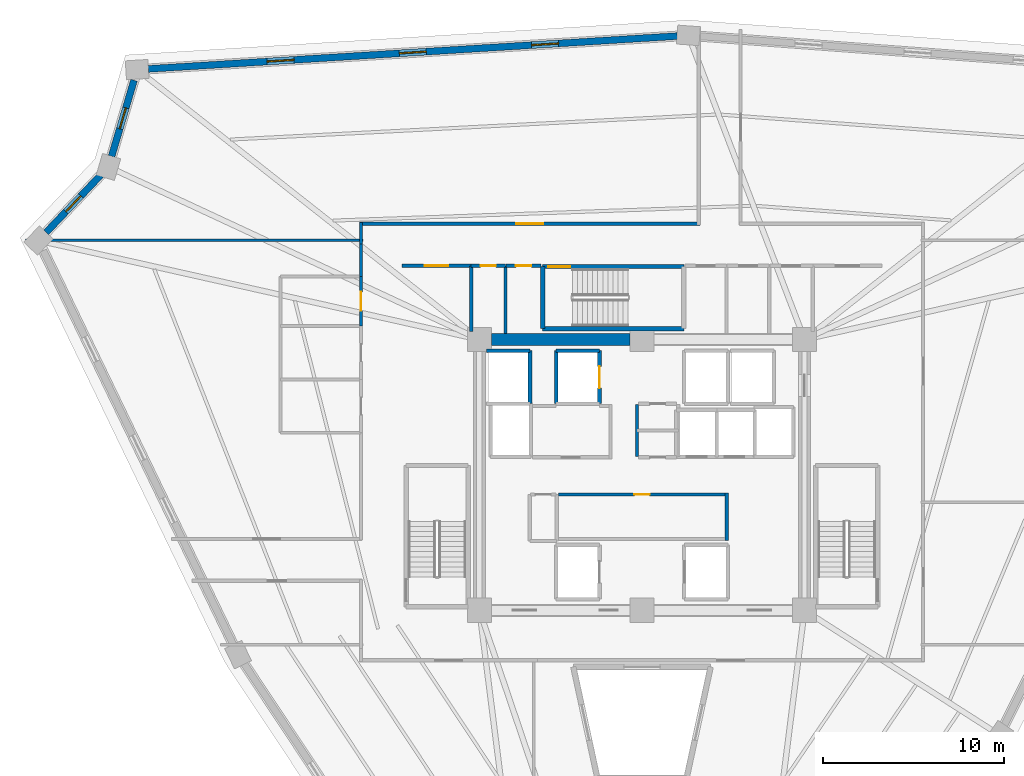
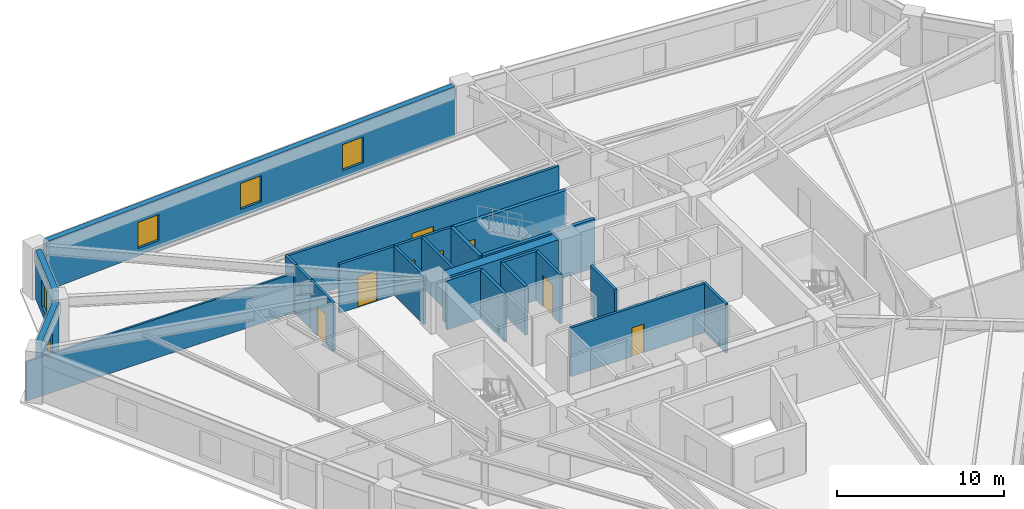
# One storey, part 5 of 8: 25 walls, 8 doors, 5 windows, 13 openings.
"""IFC4 building model written with IfcOpenShell, lengths in metres."""

from ifc_helpers import new_model, si_unit, direction, frame, frame_2d, origin, place, context, subcontext, project, spatial, rectangle, extrude, source, transform, mapped, material, layer, layer_set, type_object, element, fill, save


model = new_model("IFC4")

# Units and contexts
model_context = context("Model", 3, precision=1e-05, world=origin(), true_north=direction((0.0, 1.0)))
body_context = subcontext(model_context, "Body", "Model", "MODEL_VIEW")
ifc_project = project(units=[si_unit("LENGTHUNIT", "METRE"), si_unit("AREAUNIT", "SQUARE_METRE"), si_unit("VOLUMEUNIT", "CUBIC_METRE"), si_unit("PLANEANGLEUNIT", "RADIAN"), si_unit("MASSUNIT", "GRAM", prefix="KILO")], contexts=[model_context])

# Site, building, storey
site_placement = place(None, origin())
site = spatial("IfcSite", under=ifc_project, at=site_placement, CompositionType="ELEMENT")
building_placement = place(site_placement, origin())
building = spatial("IfcBuilding", under=site, at=building_placement, Name="Liaohun Quay Tower", CompositionType="ELEMENT")
storey_placement = place(building_placement, frame((0.0, 0.0, 213.0)))
storey = spatial("IfcBuildingStorey", under=building, at=storey_placement, Name="L55", CompositionType="ELEMENT", Elevation=213.0)

# Wall
ifc_material_1 = material(Name="Concrete C55", Category="concrete")
ifc_layer_1 = layer(ifc_material_1, 0.64990234375, Name="Concrete C55", Category="concrete")
ifc_layer_set_1 = layer_set([ifc_layer_1], Name="Concrete C55")
wall_type_1 = type_object("IfcWallType", Name="WAL-COR-Z3", PredefinedType="SHEAR", material=ifc_layer_set_1)
wall_1_placement = place(storey_placement, frame((51.675048828125, 61.5, 0.0), z_axis=(0.0, 0.0, 1.0), x_axis=(1.0, 0.0, 0.0)))
element("IfcWall", 1, at=wall_1_placement, inside=storey, type_object=wall_type_1, Name="L55 Central Core Shear Wall N-W", PredefinedType="SHEAR", context=body_context, shape_type="SweptSolid", body=[
    extrude(rectangle(XDim=7.64990234375, YDim=0.64990234375, at=frame_2d((3.824951171875, 0.0))), origin(), (0.0, 0.0, 1.0), 3.570068359375),
])

# Wall, openings, windows
ifc_material_2 = material(Name="Precast concrete C50 insulated sandwich", Category="concrete")
ifc_layer_2 = layer(ifc_material_2, 0.3798828125, Name="Precast concrete C50 insulated sandwich", Category="concrete")
ifc_layer_set_2 = layer_set([ifc_layer_2], Name="Precast concrete C50 insulated sandwich")
wall_type_2 = type_object("IfcWallType", Name="WAL-EXT-Z34", PredefinedType="SOLIDWALL", material=ifc_layer_set_2)
wall_2_placement = place(storey_placement, frame((61.955078125, 78.302001953125, 0.0), z_axis=(0.0, 0.0, 1.0), x_axis=(-0.998077357393, -0.061980550656, 0.0)))
wall_2 = element("IfcWall", 2, at=wall_2_placement, inside=storey, type_object=wall_type_2, Name="L55 Brutalist Precast Pier Wall 07", PredefinedType="SOLIDWALL", context=body_context, shape_type="SweptSolid", body=[
    extrude(rectangle(XDim=29.349365234375, YDim=0.3798828125, at=frame_2d((14.6748046875, 0.0))), origin(), (0.0, 0.0, 1.0), 3.570068359375),
])
shared_shape_1 = source(origin(), body_context, "Body", "SweptSolid", [
    extrude(rectangle(XDim=1.5, YDim=1.89990234375, at=frame_2d((0.75, 0.949951171875))), frame((0.0, 0.199951171875, 0.0), z_axis=(0.0, -1.0, 0.0), x_axis=(1.0, 0.0, 0.0)), (0.0, 0.0, 1.0), 0.39990234375),
])
opening_1_placement = place(wall_2_placement, frame((6.5869140625, 0.0, 0.550048828125)))
opening_1 = element("IfcOpeningElement", 3, at=opening_1_placement, cuts=wall_2, Name="Opening W03", PredefinedType="OPENING", context=body_context, shape_type="MappedRepresentation", body=[
    mapped(shared_shape_1, transform((0.0, 0.0, 0.0), x_axis=(1.0, 0.0, 0.0), y_axis=(0.0, 1.0, 0.0), z_axis=(0.0, 0.0, 1.0), scale=1.0)),
])
opening_2_placement = place(wall_2_placement, frame((13.925048828125, 0.0, 0.550048828125)))
opening_2 = element("IfcOpeningElement", 4, at=opening_2_placement, cuts=wall_2, Name="Opening W03", PredefinedType="OPENING", context=body_context, shape_type="MappedRepresentation", body=[
    mapped(shared_shape_1, transform((0.0, 0.0, 0.0), x_axis=(1.0, 0.0, 0.0), y_axis=(0.0, 1.0, 0.0), z_axis=(0.0, 0.0, 1.0), scale=1.0)),
])
opening_3_placement = place(wall_2_placement, frame((21.261962890625, 0.0, 0.550048828125)))
opening_3 = element("IfcOpeningElement", 5, at=opening_3_placement, cuts=wall_2, Name="Opening W03", PredefinedType="OPENING", context=body_context, shape_type="MappedRepresentation", body=[
    mapped(shared_shape_1, transform((0.0, 0.0, 0.0), x_axis=(1.0, 0.0, 0.0), y_axis=(0.0, 1.0, 0.0), z_axis=(0.0, 0.0, 1.0), scale=1.0)),
])
ifc_material_3 = material(Name="Triple Low-E argon glazing in thermally broken aluminium", Category="aluminium")
window_type_1 = type_object("IfcWindowType", Name="WIN-PUN-Z3", PartitioningType="DOUBLE_PANEL_VERTICAL", PredefinedType="WINDOW", material=ifc_material_3)
shared_shape_2 = source(origin(), body_context, "Body", "SweptSolid", [
    extrude(rectangle(XDim=1.5, YDim=1.89990234375, at=frame_2d((0.75, 0.949951171875))), frame((0.0, 0.030029296875, 0.0), z_axis=(0.0, -1.0, 0.0), x_axis=(1.0, 0.0, 0.0)), (0.0, 0.0, 1.0), 0.06005859375),
])
window_1_placement = place(opening_1_placement, origin())
window_1 = element("IfcWindow", 6, at=window_1_placement, inside=storey, type_object=window_type_1, Name="L55 Recessed Cold-Climate Punched Window 07-1", OverallHeight=1.89990234375, OverallWidth=1.5, PartitioningType="DOUBLE_PANEL_VERTICAL", PredefinedType="WINDOW", context=body_context, shape_type="MappedRepresentation", body=[
    mapped(shared_shape_2, transform((0.0, 0.0, 0.0), x_axis=(1.0, 0.0, 0.0), y_axis=(0.0, 1.0, 0.0), z_axis=(0.0, 0.0, 1.0), scale=1.0)),
])
fill(opening_1, window_1)
window_2_placement = place(opening_2_placement, origin())
window_2 = element("IfcWindow", 7, at=window_2_placement, inside=storey, type_object=window_type_1, Name="L55 Recessed Cold-Climate Punched Window 07-2", OverallHeight=1.89990234375, OverallWidth=1.5, PartitioningType="DOUBLE_PANEL_VERTICAL", PredefinedType="WINDOW", context=body_context, shape_type="MappedRepresentation", body=[
    mapped(shared_shape_2, transform((0.0, 0.0, 0.0), x_axis=(1.0, 0.0, 0.0), y_axis=(0.0, 1.0, 0.0), z_axis=(0.0, 0.0, 1.0), scale=1.0)),
])
fill(opening_2, window_2)
window_3_placement = place(opening_3_placement, origin())
window_3 = element("IfcWindow", 8, at=window_3_placement, inside=storey, type_object=window_type_1, Name="L55 Recessed Cold-Climate Punched Window 07-3", OverallHeight=1.89990234375, OverallWidth=1.5, PartitioningType="DOUBLE_PANEL_VERTICAL", PredefinedType="WINDOW", context=body_context, shape_type="MappedRepresentation", body=[
    mapped(shared_shape_2, transform((0.0, 0.0, 0.0), x_axis=(1.0, 0.0, 0.0), y_axis=(0.0, 1.0, 0.0), z_axis=(0.0, 0.0, 1.0), scale=1.0)),
])
fill(opening_3, window_3)

# Wall, opening, window
wall_3_placement = place(storey_placement, frame((31.8740234375, 75.85498046875, 0.0), z_axis=(0.0, 0.0, 1.0), x_axis=(-0.282741477482, -0.959196151426, 0.0)))
wall_3 = element("IfcWall", 9, at=wall_3_placement, inside=storey, type_object=wall_type_2, Name="L55 Brutalist Precast Pier Wall 08", PredefinedType="SOLIDWALL", context=body_context, shape_type="SweptSolid", body=[
    extrude(rectangle(XDim=4.38916015625, YDim=0.3798828125, at=frame_2d((2.194580078125, 0.0))), origin(), (0.0, 0.0, 1.0), 3.570068359375),
])
shared_shape_3 = source(origin(), body_context, "Body", "SweptSolid", [
    extrude(rectangle(XDim=1.199951171875, YDim=1.89990234375, at=frame_2d((0.60009765625, 0.949951171875))), frame((0.0, 0.199951171875, 0.0), z_axis=(0.0, -1.0, 0.0), x_axis=(1.0, 0.0, 0.0)), (0.0, 0.0, 1.0), 0.39990234375),
])
opening_4_placement = place(wall_3_placement, frame((1.594970703125, 0.0, 0.550048828125)))
opening_4 = element("IfcOpeningElement", 10, at=opening_4_placement, cuts=wall_3, Name="Opening W05", PredefinedType="OPENING", context=body_context, shape_type="MappedRepresentation", body=[
    mapped(shared_shape_3, transform((0.0, 0.0, 0.0), x_axis=(1.0, 0.0, 0.0), y_axis=(0.0, 1.0, 0.0), z_axis=(0.0, 0.0, 1.0), scale=1.0)),
])
ifc_material_4 = material(Name="Triple Low-E corner notch glazing", Category="glass")
window_type_2 = type_object("IfcWindowType", Name="WIN-NOTCH", PartitioningType="SINGLE_PANEL", PredefinedType="WINDOW", material=ifc_material_4)
shared_shape_4 = source(origin(), body_context, "Body", "SweptSolid", [
    extrude(rectangle(XDim=1.199951171875, YDim=1.89990234375, at=frame_2d((0.60009765625, 0.949951171875))), frame((0.0, 0.030029296875, 0.0), z_axis=(0.0, -1.0, 0.0), x_axis=(1.0, 0.0, 0.0)), (0.0, 0.0, 1.0), 0.06005859375),
])
window_4_placement = place(opening_4_placement, origin())
window_4 = element("IfcWindow", 11, at=window_4_placement, inside=storey, type_object=window_type_2, Name="L55 Corner Notch Window W05-08", OverallHeight=1.89990234375, OverallWidth=1.199951171875, PartitioningType="SINGLE_PANEL", PredefinedType="WINDOW", context=body_context, shape_type="MappedRepresentation", body=[
    mapped(shared_shape_4, transform((0.0, 0.0, 0.0), x_axis=(1.0, 0.0, 0.0), y_axis=(0.0, 1.0, 0.0), z_axis=(0.0, 0.0, 1.0), scale=1.0)),
])
fill(opening_4, window_4)

wall_4_placement = place(storey_placement, frame((30.034912109375, 70.60888671875, 0.0), z_axis=(0.0, 0.0, 1.0), x_axis=(-0.689503947634, -0.724281924527, 0.0)))
wall_4 = element("IfcWall", 12, at=wall_4_placement, inside=storey, type_object=wall_type_2, Name="L55 Brutalist Precast Pier Wall 09", PredefinedType="SOLIDWALL", context=body_context, shape_type="SweptSolid", body=[
    extrude(rectangle(XDim=4.39453125, YDim=0.3798828125, at=frame_2d((2.197265625, 0.0))), origin(), (0.0, 0.0, 1.0), 3.570068359375),
])
opening_5_placement = place(wall_4_placement, frame((1.596923828125, 0.0, 0.550048828125)))
opening_5 = element("IfcOpeningElement", 13, at=opening_5_placement, cuts=wall_4, Name="Opening W05", PredefinedType="OPENING", context=body_context, shape_type="MappedRepresentation", body=[
    mapped(shared_shape_3, transform((0.0, 0.0, 0.0), x_axis=(1.0, 0.0, 0.0), y_axis=(0.0, 1.0, 0.0), z_axis=(0.0, 0.0, 1.0), scale=1.0)),
])
window_5_placement = place(opening_5_placement, origin())
window_5 = element("IfcWindow", 14, at=window_5_placement, inside=storey, type_object=window_type_2, Name="L55 Corner Notch Window W05-09", OverallHeight=1.89990234375, OverallWidth=1.199951171875, PartitioningType="SINGLE_PANEL", PredefinedType="WINDOW", context=body_context, shape_type="MappedRepresentation", body=[
    mapped(shared_shape_4, transform((0.0, 0.0, 0.0), x_axis=(1.0, 0.0, 0.0), y_axis=(0.0, 1.0, 0.0), z_axis=(0.0, 0.0, 1.0), scale=1.0)),
])
fill(opening_5, window_5)

# Wall, opening, door
ifc_material_5 = material(Name="Autoclaved aerated concrete blockwork", Category="masonry")
ifc_layer_3 = layer(ifc_material_5, 0.179931640625, Name="Autoclaved aerated concrete blockwork", Category="masonry")
ifc_layer_set_3 = layer_set([ifc_layer_3], Name="Autoclaved aerated concrete blockwork")
wall_type_3 = type_object("IfcWallType", Name="WAL-PRT-COR", PredefinedType="PARTITIONING", material=ifc_layer_set_3)
wall_5_placement = place(storey_placement, frame((55.3701171875, 52.919921875, 0.0), z_axis=(0.0, 0.0, 1.0), x_axis=(1.0, 0.0, 0.0)))
wall_5 = element("IfcWall", 15, at=wall_5_placement, inside=storey, type_object=wall_type_3, Name="L55 Interior Partition Wall 001", PredefinedType="PARTITIONING", context=body_context, shape_type="SweptSolid", body=[
    extrude(rectangle(XDim=9.239990234375, YDim=0.179931640625, at=frame_2d((4.6201171875, 0.0))), origin(), (0.0, 0.0, 1.0), 3.570068359375),
])
shared_shape_5 = source(origin(), body_context, "Body", "SweptSolid", [
    extrude(rectangle(XDim=0.85009765625, YDim=2.10009765625, at=frame_2d((0.425048828125, 1.050048828125))), frame((0.0, 0.099853515625, 0.0), z_axis=(0.0, -1.0, 0.0), x_axis=(1.0, 0.0, 0.0)), (0.0, 0.0, 1.0), 0.199951171875),
])
opening_6_placement = place(wall_5_placement, frame((4.205078125, 0.0, 0.0)))
opening_6 = element("IfcOpeningElement", 16, at=opening_6_placement, cuts=wall_5, Name="Opening AD1", PredefinedType="OPENING", context=body_context, shape_type="MappedRepresentation", body=[
    mapped(shared_shape_5, transform((0.0, 0.0, 0.0), x_axis=(1.0, 0.0, 0.0), y_axis=(0.0, 1.0, 0.0), z_axis=(0.0, 0.0, 1.0), scale=1.0)),
])
ifc_material_6 = material(Name="Steel riser inspection fire door", Category="steel")
door_type_1 = type_object("IfcDoorType", Name="DOR-SHF-850", OperationType="NOTDEFINED", PredefinedType="DOOR", material=ifc_material_6)
shared_shape_6 = source(origin(), body_context, "Body", "SweptSolid", [
    extrude(rectangle(XDim=0.85009765625, YDim=2.10009765625, at=frame_2d((0.425048828125, 1.050048828125))), frame((0.0, 0.02490234375, 0.0), z_axis=(0.0, -1.0, 0.0), x_axis=(1.0, 0.0, 0.0)), (0.0, 0.0, 1.0), 0.050048828125),
])
door_1_placement = place(opening_6_placement, origin())
door_1 = element("IfcDoor", 17, at=door_1_placement, inside=storey, type_object=door_type_1, Name="L55 Core Tenant Storage and Archive Room Door", OperationType="SINGLE_SWING_RIGHT", OverallHeight=2.10009765625, OverallWidth=0.85009765625, PredefinedType="DOOR", context=body_context, shape_type="MappedRepresentation", body=[
    mapped(shared_shape_6, transform((0.0, 0.0, 0.0), x_axis=(1.0, 0.0, 0.0), y_axis=(0.0, 1.0, 0.0), z_axis=(0.0, 0.0, 1.0), scale=1.0)),
])
fill(opening_6, door_1)

wall_6_placement = place(storey_placement, frame((50.5400390625, 65.580078125, 0.0), z_axis=(0.0, 0.0, 1.0), x_axis=(1.0, 0.0, 0.0)))
wall_6 = element("IfcWall", 18, at=wall_6_placement, inside=storey, type_object=wall_type_3, Name="L55 Interior Partition Wall 009", PredefinedType="PARTITIONING", context=body_context, shape_type="SweptSolid", body=[
    extrude(rectangle(XDim=1.89990234375, YDim=0.179931640625, at=frame_2d((0.949951171875, 0.0))), origin(), (0.0, 0.0, 1.0), 3.570068359375),
])
opening_7_placement = place(wall_6_placement, frame((0.52490234375, 0.0, 0.0)))
opening_7 = element("IfcOpeningElement", 19, at=opening_7_placement, cuts=wall_6, Name="Opening AD1", PredefinedType="OPENING", context=body_context, shape_type="MappedRepresentation", body=[
    mapped(shared_shape_5, transform((0.0, 0.0, 0.0), x_axis=(1.0, 0.0, 0.0), y_axis=(0.0, 1.0, 0.0), z_axis=(0.0, 0.0, 1.0), scale=1.0)),
])
door_2_placement = place(opening_7_placement, origin())
door_2 = element("IfcDoor", 20, at=door_2_placement, inside=storey, type_object=door_type_1, Name="L55 North-West Riser Closet Door", OperationType="SINGLE_SWING_RIGHT", OverallHeight=2.10009765625, OverallWidth=0.85009765625, PredefinedType="DOOR", context=body_context, shape_type="MappedRepresentation", body=[
    mapped(shared_shape_6, transform((0.0, 0.0, 0.0), x_axis=(1.0, 0.0, 0.0), y_axis=(0.0, 1.0, 0.0), z_axis=(0.0, 0.0, 1.0), scale=1.0)),
])
fill(opening_7, door_2)

wall_7_placement = place(storey_placement, frame((52.47998046875, 65.580078125, 0.0), z_axis=(0.0, 0.0, 1.0), x_axis=(1.0, 0.0, 0.0)))
wall_7 = element("IfcWall", 21, at=wall_7_placement, inside=storey, type_object=wall_type_3, Name="L55 Interior Partition Wall 010", PredefinedType="PARTITIONING", context=body_context, shape_type="SweptSolid", body=[
    extrude(rectangle(XDim=1.929931640625, YDim=0.179931640625, at=frame_2d((0.96484375, 0.0))), origin(), (0.0, 0.0, 1.0), 3.570068359375),
])
opening_8_placement = place(wall_7_placement, frame((0.5400390625, 0.0, 0.0)))
opening_8 = element("IfcOpeningElement", 22, at=opening_8_placement, cuts=wall_7, Name="Opening AD1", PredefinedType="OPENING", context=body_context, shape_type="MappedRepresentation", body=[
    mapped(shared_shape_5, transform((0.0, 0.0, 0.0), x_axis=(1.0, 0.0, 0.0), y_axis=(0.0, 1.0, 0.0), z_axis=(0.0, 0.0, 1.0), scale=1.0)),
])
door_3_placement = place(opening_8_placement, origin())
door_3 = element("IfcDoor", 23, at=door_3_placement, inside=storey, type_object=door_type_1, Name="L55 North-West Print Closet Door", OperationType="SINGLE_SWING_LEFT", OverallHeight=2.10009765625, OverallWidth=0.85009765625, PredefinedType="DOOR", context=body_context, shape_type="MappedRepresentation", body=[
    mapped(shared_shape_6, transform((0.0, 0.0, 0.0), x_axis=(1.0, 0.0, 0.0), y_axis=(0.0, 1.0, 0.0), z_axis=(0.0, 0.0, 1.0), scale=1.0)),
])
fill(opening_8, door_3)

wall_8_placement = place(storey_placement, frame((46.699951171875, 65.580078125, 0.0), z_axis=(0.0, 0.0, 1.0), x_axis=(1.0, 0.0, 0.0)))
wall_8 = element("IfcWall", 24, at=wall_8_placement, inside=storey, type_object=wall_type_3, Name="L55 Interior Partition Wall 014", PredefinedType="PARTITIONING", context=body_context, shape_type="SweptSolid", body=[
    extrude(rectangle(XDim=3.840087890625, YDim=0.179931640625, at=frame_2d((1.919921875, 0.0))), origin(), (0.0, 0.0, 1.0), 3.570068359375),
])
shared_shape_7 = source(origin(), body_context, "Body", "SweptSolid", [
    extrude(rectangle(XDim=1.300048828125, YDim=2.199951171875, at=frame_2d((0.64990234375, 1.10009765625))), frame((0.0, 0.099853515625, 0.0), z_axis=(0.0, -1.0, 0.0), x_axis=(1.0, 0.0, 0.0)), (0.0, 0.0, 1.0), 0.199951171875),
])
opening_9_placement = place(wall_8_placement, frame((1.27001953125, 0.0, 0.0)))
opening_9 = element("IfcOpeningElement", 25, at=opening_9_placement, cuts=wall_8, Name="Opening FD1", PredefinedType="OPENING", context=body_context, shape_type="MappedRepresentation", body=[
    mapped(shared_shape_7, transform((0.0, 0.0, 0.0), x_axis=(1.0, 0.0, 0.0), y_axis=(0.0, 1.0, 0.0), z_axis=(0.0, 0.0, 1.0), scale=1.0)),
])
ifc_material_7 = material(Name="Galvanised steel smokeproof fire door", Category="steel")
door_type_2 = type_object("IfcDoorType", Name="DOR-FFL-1300", OperationType="NOTDEFINED", PredefinedType="DOOR", material=ifc_material_7)
shared_shape_8 = source(origin(), body_context, "Body", "SweptSolid", [
    extrude(rectangle(XDim=1.300048828125, YDim=2.199951171875, at=frame_2d((0.64990234375, 1.10009765625))), frame((0.0, 0.02490234375, 0.0), z_axis=(0.0, -1.0, 0.0), x_axis=(1.0, 0.0, 0.0)), (0.0, 0.0, 1.0), 0.050048828125),
])
door_4_placement = place(opening_9_placement, origin())
door_4 = element("IfcDoor", 26, at=door_4_placement, inside=storey, type_object=door_type_2, Name="L55 West Core Vestibule Door", OperationType="SINGLE_SWING_LEFT", OverallHeight=2.199951171875, OverallWidth=1.300048828125, PredefinedType="DOOR", context=body_context, shape_type="MappedRepresentation", body=[
    mapped(shared_shape_8, transform((0.0, 0.0, 0.0), x_axis=(1.0, 0.0, 0.0), y_axis=(0.0, 1.0, 0.0), z_axis=(0.0, 0.0, 1.0), scale=1.0)),
])
fill(opening_9, door_4)

wall_9_placement = place(storey_placement, frame((44.3701171875, 67.909912109375, 0.0), z_axis=(0.0, 0.0, 1.0), x_axis=(1.0, 0.0, 0.0)))
wall_9 = element("IfcWall", 27, at=wall_9_placement, inside=storey, type_object=wall_type_3, Name="L55 Interior Partition Wall 018", PredefinedType="PARTITIONING", context=body_context, shape_type="SweptSolid", body=[
    extrude(rectangle(XDim=18.83984375, YDim=0.179931640625, at=frame_2d((9.419921875, 0.0))), origin(), (0.0, 0.0, 1.0), 3.570068359375),
])
shared_shape_9 = source(origin(), body_context, "Body", "SweptSolid", [
    extrude(rectangle(XDim=1.5, YDim=2.199951171875, at=frame_2d((0.75, 1.10009765625))), frame((0.0, 0.099853515625, 0.0), z_axis=(0.0, -1.0, 0.0), x_axis=(1.0, 0.0, 0.0)), (0.0, 0.0, 1.0), 0.199951171875),
])
opening_10_placement = place(wall_9_placement, frame((8.669921875, 0.0, 0.0)))
opening_10 = element("IfcOpeningElement", 28, at=opening_10_placement, cuts=wall_9, Name="Opening OD2", PredefinedType="OPENING", context=body_context, shape_type="MappedRepresentation", body=[
    mapped(shared_shape_9, transform((0.0, 0.0, 0.0), x_axis=(1.0, 0.0, 0.0), y_axis=(0.0, 1.0, 0.0), z_axis=(0.0, 0.0, 1.0), scale=1.0)),
])
ifc_material_8 = material(Name="Acoustic oak veneer double door")
door_type_3 = type_object("IfcDoorType", Name="DOR-OFF-1500", OperationType="DOUBLE_DOOR_SINGLE_SWING", PredefinedType="DOOR", material=ifc_material_8)
shared_shape_10 = source(origin(), body_context, "Body", "SweptSolid", [
    extrude(rectangle(XDim=1.5, YDim=2.199951171875, at=frame_2d((0.75, 1.10009765625))), frame((0.0, 0.02490234375, 0.0), z_axis=(0.0, -1.0, 0.0), x_axis=(1.0, 0.0, 0.0)), (0.0, 0.0, 1.0), 0.050048828125),
])
door_5_placement = place(opening_10_placement, origin())
door_5 = element("IfcDoor", 29, at=door_5_placement, inside=storey, type_object=door_type_3, Name="L55 Staff Daycare Nursery 03 Door", OperationType="DOUBLE_DOOR_SINGLE_SWING", OverallHeight=2.199951171875, OverallWidth=1.5, PredefinedType="DOOR", context=body_context, shape_type="MappedRepresentation", body=[
    mapped(shared_shape_10, transform((0.0, 0.0, 0.0), x_axis=(1.0, 0.0, 0.0), y_axis=(0.0, 1.0, 0.0), z_axis=(0.0, 0.0, 1.0), scale=1.0)),
])
fill(opening_10, door_5)

# Walls
wall_10_placement = place(storey_placement, frame((59.719970703125, 55.02001953125, 0.0), z_axis=(0.0, 0.0, 1.0), x_axis=(0.0, 1.0, 0.0)))
element("IfcWall", 30, at=wall_10_placement, inside=storey, type_object=wall_type_3, Name="L55 Interior Partition Wall 024", PredefinedType="PARTITIONING", context=body_context, shape_type="SweptSolid", body=[
    extrude(rectangle(XDim=2.8798828125, YDim=0.179931640625, at=frame_2d((1.43994140625, 0.0))), origin(), (0.0, 0.0, 1.0), 3.570068359375),
])
wall_11_placement = place(storey_placement, frame((50.5400390625, 61.949951171875, 0.0), z_axis=(0.0, 0.0, 1.0), x_axis=(0.0, 1.0, 0.0)))
element("IfcWall", 31, at=wall_11_placement, inside=storey, type_object=wall_type_3, Name="L55 Interior Partition Wall 035", PredefinedType="PARTITIONING", context=body_context, shape_type="SweptSolid", body=[
    extrude(rectangle(XDim=3.630126953125, YDim=0.179931640625, at=frame_2d((1.81494140625, 0.0))), origin(), (0.0, 0.0, 1.0), 3.570068359375),
])
wall_12_placement = place(storey_placement, frame((52.43994140625, 61.824951171875, 0.0), z_axis=(0.0, 0.0, 1.0), x_axis=(0.0, 1.0, 0.0)))
element("IfcWall", 32, at=wall_12_placement, inside=storey, type_object=wall_type_3, Name="L55 Interior Partition Wall 036", PredefinedType="PARTITIONING", context=body_context, shape_type="SweptSolid", body=[
    extrude(rectangle(XDim=3.755126953125, YDim=0.179931640625, at=frame_2d((1.87744140625, 0.0))), origin(), (0.0, 0.0, 1.0), 3.570068359375),
])
wall_13_placement = place(storey_placement, frame((44.43994140625, 66.784912109375, 0.0), z_axis=(0.0, 0.0, 1.0), x_axis=(0.0, 1.0, 0.0)))
element("IfcWall", 33, at=wall_13_placement, inside=storey, type_object=wall_type_3, Name="L55 Interior Partition Wall 043", PredefinedType="PARTITIONING", context=body_context, shape_type="SweptSolid", body=[
    extrude(rectangle(XDim=1.195068359375, YDim=0.179931640625, at=frame_2d((0.59765625, 0.0))), origin(), (0.0, 0.0, 1.0), 3.570068359375),
])
wall_14_placement = place(storey_placement, frame((44.43994140625, 64.97998046875, 0.0), z_axis=(0.0, 0.0, 1.0), x_axis=(0.0, 1.0, 0.0)))
element("IfcWall", 34, at=wall_14_placement, inside=storey, type_object=wall_type_3, Name="L55 Interior Partition Wall 045", PredefinedType="PARTITIONING", context=body_context, shape_type="SweptSolid", body=[
    extrude(rectangle(XDim=1.804931640625, YDim=0.179931640625, at=frame_2d((0.90234375, 0.0))), origin(), (0.0, 0.0, 1.0), 3.570068359375),
])
wall_15_placement = place(storey_placement, frame((64.699951171875, 50.360107421875, 0.0), z_axis=(0.0, 0.0, 1.0), x_axis=(0.0, 1.0, 0.0)))
element("IfcWall", 35, at=wall_15_placement, inside=storey, type_object=wall_type_3, Name="L55 Interior Partition Wall 055", PredefinedType="PARTITIONING", context=body_context, shape_type="SweptSolid", body=[
    extrude(rectangle(XDim=2.64990234375, YDim=0.179931640625, at=frame_2d((1.324951171875, 0.0))), origin(), (0.0, 0.0, 1.0), 3.570068359375),
])
ifc_material_9 = material(Name="Gypsum board on twin steel studs", Category="steel")
ifc_layer_4 = layer(ifc_material_9, 0.139892578125, Name="Gypsum board on twin steel studs", Category="steel")
ifc_layer_set_4 = layer_set([ifc_layer_4], Name="Gypsum board on twin steel studs")
wall_type_4 = type_object("IfcWallType", Name="WAL-PRT-OFF", PredefinedType="PARTITIONING", material=ifc_layer_set_4)
wall_16_placement = place(storey_placement, frame((44.5400390625, 67.0, 0.0), z_axis=(0.0, 0.0, 1.0), x_axis=(-1.0, 0.0, 0.0)))
element("IfcWall", 36, at=wall_16_placement, inside=storey, type_object=wall_type_4, Name="L55 Interior Partition Wall 050", PredefinedType="PARTITIONING", context=body_context, shape_type="SweptSolid", body=[
    extrude(rectangle(XDim=18.66796875, YDim=0.139892578125, at=frame_2d((9.333984375, 0.0))), origin(), (0.0, 0.0, 1.0), 2.85498046875),
])

# Wall, opening, door
ifc_material_10 = material(Name="Moisture-resistant masonry blockwork", Category="masonry")
ifc_layer_5 = layer(ifc_material_10, 0.159912109375, Name="Moisture-resistant masonry blockwork", Category="masonry")
ifc_layer_set_5 = layer_set([ifc_layer_5], Name="Moisture-resistant masonry blockwork")
wall_type_5 = type_object("IfcWallType", Name="WAL-PRT-WET", PredefinedType="PARTITIONING", material=ifc_layer_set_5)
wall_17_placement = place(storey_placement, frame((44.43994140625, 62.239990234375, 0.0), z_axis=(0.0, 0.0, 1.0), x_axis=(0.0, 1.0, 0.0)))
wall_17 = element("IfcWall", 37, at=wall_17_placement, inside=storey, type_object=wall_type_5, Name="L55 Interior Partition Wall 008", PredefinedType="PARTITIONING", context=body_context, shape_type="SweptSolid", body=[
    extrude(rectangle(XDim=2.739990234375, YDim=0.159912109375, at=frame_2d((1.3701171875, 0.0))), origin(), (0.0, 0.0, 1.0), 3.570068359375),
])
shared_shape_11 = source(origin(), body_context, "Body", "SweptSolid", [
    extrude(rectangle(XDim=1.050048828125, YDim=2.14990234375, at=frame_2d((0.52490234375, 1.074951171875))), frame((0.0, 0.08984375, 0.0), z_axis=(0.0, -1.0, 0.0), x_axis=(1.0, 0.0, 0.0)), (0.0, 0.0, 1.0), 0.179931640625),
])
opening_11_placement = place(wall_17_placement, frame((0.844970703125, 0.0, 0.0)))
opening_11 = element("IfcOpeningElement", 38, at=opening_11_placement, cuts=wall_17, Name="Opening WD2", PredefinedType="OPENING", context=body_context, shape_type="MappedRepresentation", body=[
    mapped(shared_shape_11, transform((0.0, 0.0, 0.0), x_axis=(1.0, 0.0, 0.0), y_axis=(0.0, 1.0, 0.0), z_axis=(0.0, 0.0, 1.0), scale=1.0)),
])
ifc_material_11 = material(Name="Accessible outward-swinging laminate door")
door_type_4 = type_object("IfcDoorType", Name="DOR-AWC-1050", OperationType="NOTDEFINED", PredefinedType="DOOR", material=ifc_material_11)
shared_shape_12 = source(origin(), body_context, "Body", "SweptSolid", [
    extrude(rectangle(XDim=1.050048828125, YDim=2.14990234375, at=frame_2d((0.52490234375, 1.074951171875))), frame((0.0, 0.02490234375, 0.0), z_axis=(0.0, -1.0, 0.0), x_axis=(1.0, 0.0, 0.0)), (0.0, 0.0, 1.0), 0.050048828125),
])
door_6_placement = place(opening_11_placement, origin())
door_6 = element("IfcDoor", 39, at=door_6_placement, inside=storey, type_object=door_type_4, Name="L55 Accessible WC Door", OperationType="SINGLE_SWING_LEFT", OverallHeight=2.14990234375, OverallWidth=1.050048828125, PredefinedType="DOOR", context=body_context, shape_type="MappedRepresentation", body=[
    mapped(shared_shape_12, transform((0.0, 0.0, 0.0), x_axis=(1.0, 0.0, 0.0), y_axis=(0.0, 1.0, 0.0), z_axis=(0.0, 0.0, 1.0), scale=1.0)),
])
fill(opening_11, door_6)

# Wall
ifc_material_12 = material(Name="Concrete C50", Category="concrete")
ifc_layer_6 = layer(ifc_material_12, 0.239990234375, Name="Concrete C50", Category="concrete")
ifc_layer_set_6 = layer_set([ifc_layer_6], Name="Concrete C50")
wall_type_6 = type_object("IfcWallType", Name="WAL-SHF-200", PredefinedType="SOLIDWALL", material=ifc_layer_set_6)
wall_18_placement = place(storey_placement, frame((54.5, 62.10009765625, 0.0), z_axis=(0.0, 0.0, 1.0), x_axis=(1.0, 0.0, 0.0)))
element("IfcWall", 40, at=wall_18_placement, inside=storey, type_object=wall_type_6, Name="L55 Stairwell ST-3 Structural Core Wall S", PredefinedType="SOLIDWALL", context=body_context, shape_type="SweptSolid", body=[
    extrude(rectangle(XDim=7.820068359375, YDim=0.239990234375, at=frame_2d((3.91015625, 0.0))), origin(), (0.0, 0.0, 1.0), 3.570068359375),
])

# Wall, opening, door
wall_19_placement = place(storey_placement, frame((62.320068359375, 65.5400390625, 0.0), z_axis=(0.0, 0.0, 1.0), x_axis=(-1.0, 0.0, 0.0)))
wall_19 = element("IfcWall", 41, at=wall_19_placement, inside=storey, type_object=wall_type_6, Name="L55 Stairwell ST-3 Structural Core Wall N", PredefinedType="SOLIDWALL", context=body_context, shape_type="SweptSolid", body=[
    extrude(rectangle(XDim=7.820068359375, YDim=0.239990234375, at=frame_2d((3.91015625, 0.0))), origin(), (0.0, 0.0, 1.0), 3.570068359375),
])
shared_shape_13 = source(origin(), body_context, "Body", "SweptSolid", [
    extrude(rectangle(XDim=1.199951171875, YDim=2.199951171875, at=frame_2d((0.60009765625, 1.10009765625))), frame((0.0, 0.1298828125, 0.0), z_axis=(0.0, -1.0, 0.0), x_axis=(1.0, 0.0, 0.0)), (0.0, 0.0, 1.0), 0.260009765625),
])
opening_12_placement = place(wall_19_placement, frame((6.300048828125, 0.0, 0.0)))
opening_12 = element("IfcOpeningElement", 42, at=opening_12_placement, cuts=wall_19, Name="Opening SD1", PredefinedType="OPENING", context=body_context, shape_type="MappedRepresentation", body=[
    mapped(shared_shape_13, transform((0.0, 0.0, 0.0), x_axis=(1.0, 0.0, 0.0), y_axis=(0.0, 1.0, 0.0), z_axis=(0.0, 0.0, 1.0), scale=1.0)),
])
ifc_material_13 = material(Name="Galvanised steel fire door", Category="steel")
door_type_5 = type_object("IfcDoorType", Name="DOR-STR-1200", OperationType="NOTDEFINED", PredefinedType="DOOR", material=ifc_material_13)
shared_shape_14 = source(origin(), body_context, "Body", "SweptSolid", [
    extrude(rectangle(XDim=1.199951171875, YDim=2.199951171875, at=frame_2d((0.60009765625, 1.10009765625))), frame((0.0, 0.02490234375, 0.0), z_axis=(0.0, -1.0, 0.0), x_axis=(1.0, 0.0, 0.0)), (0.0, 0.0, 1.0), 0.050048828125),
])
door_7_placement = place(opening_12_placement, origin())
door_7 = element("IfcDoor", 43, at=door_7_placement, inside=storey, type_object=door_type_5, Name="L55 Protected Stair ST-3 Fire Door", OperationType="SINGLE_SWING_RIGHT", OverallHeight=2.199951171875, OverallWidth=1.199951171875, PredefinedType="DOOR", context=body_context, shape_type="MappedRepresentation", body=[
    mapped(shared_shape_14, transform((0.0, 0.0, 0.0), x_axis=(1.0, 0.0, 0.0), y_axis=(0.0, 1.0, 0.0), z_axis=(0.0, 0.0, 1.0), scale=1.0)),
])
fill(opening_12, door_7)

# Wall
wall_20_placement = place(storey_placement, frame((54.5, 65.5400390625, 0.0), z_axis=(0.0, 0.0, 1.0), x_axis=(0.0, -1.0, 0.0)))
element("IfcWall", 44, at=wall_20_placement, inside=storey, type_object=wall_type_6, Name="L55 Stairwell ST-3 Structural Core Wall W", PredefinedType="SOLIDWALL", context=body_context, shape_type="SweptSolid", body=[
    extrude(rectangle(XDim=3.43994140625, YDim=0.239990234375, at=frame_2d((1.719970703125, 0.0))), origin(), (0.0, 0.0, 1.0), 3.570068359375),
])

# Wall, opening, door
wall_21_placement = place(storey_placement, frame((57.64990234375, 57.949951171875, 0.0), z_axis=(0.0, 0.0, 1.0), x_axis=(0.0, 1.0, 0.0)))
wall_21 = element("IfcWall", 45, at=wall_21_placement, inside=storey, type_object=wall_type_6, Name="L55 Lift FF-03 Hoistway Wall E", PredefinedType="SOLIDWALL", context=body_context, shape_type="SweptSolid", body=[
    extrude(rectangle(XDim=2.929931640625, YDim=0.199951171875, at=frame_2d((1.46484375, 0.0))), origin(), (0.0, 0.0, 1.0), 3.570068359375),
])
shared_shape_15 = source(origin(), body_context, "Body", "SweptSolid", [
    extrude(rectangle(XDim=1.199951171875, YDim=2.300048828125, at=frame_2d((0.60009765625, 1.14990234375))), frame((0.0, 0.10986328125, 0.0), z_axis=(0.0, -1.0, 0.0), x_axis=(1.0, 0.0, 0.0)), (0.0, 0.0, 1.0), 0.219970703125),
])
opening_13_placement = place(wall_21_placement, frame((0.864990234375, 0.0, 0.0)))
opening_13 = element("IfcOpeningElement", 46, at=opening_13_placement, cuts=wall_21, Name="Opening LD2", PredefinedType="OPENING", context=body_context, shape_type="MappedRepresentation", body=[
    mapped(shared_shape_15, transform((0.0, 0.0, 0.0), x_axis=(1.0, 0.0, 0.0), y_axis=(0.0, 1.0, 0.0), z_axis=(0.0, 0.0, 1.0), scale=1.0)),
])
ifc_material_14 = material(Name="Brushed stainless steel stretcher landing door", Category="steel")
door_type_6 = type_object("IfcDoorType", Name="DOR-LFT-1200", OperationType="SLIDING_TO_LEFT", PredefinedType="DOOR", material=ifc_material_14)
shared_shape_16 = source(origin(), body_context, "Body", "SweptSolid", [
    extrude(rectangle(XDim=1.199951171875, YDim=2.300048828125, at=frame_2d((0.60009765625, 1.14990234375))), frame((0.0, 0.02490234375, 0.0), z_axis=(0.0, -1.0, 0.0), x_axis=(1.0, 0.0, 0.0)), (0.0, 0.0, 1.0), 0.050048828125),
])
door_8_placement = place(opening_13_placement, origin())
door_8 = element("IfcDoor", 47, at=door_8_placement, inside=storey, type_object=door_type_6, Name="L55 Lift FF-03 Sliding Landing Door", OperationType="SLIDING_TO_LEFT", OverallHeight=2.300048828125, OverallWidth=1.199951171875, PredefinedType="DOOR", context=body_context, shape_type="MappedRepresentation", body=[
    mapped(shared_shape_16, transform((0.0, 0.0, 0.0), x_axis=(1.0, 0.0, 0.0), y_axis=(0.0, 1.0, 0.0), z_axis=(0.0, 0.0, 1.0), scale=1.0)),
])
fill(opening_13, door_8)

# Walls
wall_22_placement = place(storey_placement, frame((57.64990234375, 60.8798828125, 0.0), z_axis=(0.0, 0.0, 1.0), x_axis=(-1.0, 0.0, 0.0)))
element("IfcWall", 48, at=wall_22_placement, inside=storey, type_object=wall_type_6, Name="L55 Lift FF-03 Hoistway Wall N", PredefinedType="SOLIDWALL", context=body_context, shape_type="SweptSolid", body=[
    extrude(rectangle(XDim=2.39990234375, YDim=0.199951171875, at=frame_2d((1.199951171875, 0.0))), origin(), (0.0, 0.0, 1.0), 3.570068359375),
])
for number, where, z_axis, x_axis, name in (
    (49, (55.25, 60.8798828125, 0.0), (0.0, 0.0, 1.0), (0.0, -1.0, 0.0), "L55 Lift FF-03 Hoistway Wall W"),
    (50, (53.800048828125, 57.949951171875, 0.0), (0.0, 0.0, 1.0), (0.0, 1.0, 0.0), "L55 Lift SH-01 Hoistway Wall E"),
):
    element("IfcWall", number, at=place(storey_placement, frame(where, z_axis=z_axis, x_axis=x_axis)), inside=storey, type_object=wall_type_6, Name=name, PredefinedType="SOLIDWALL", context=body_context, shape_type="SweptSolid", body=[
        extrude(rectangle(XDim=2.929931640625, YDim=0.199951171875, at=frame_2d((1.46484375, 0.0))), origin(), (0.0, 0.0, 1.0), 3.570068359375),
    ])
wall_23_placement = place(storey_placement, frame((53.800048828125, 60.8798828125, 0.0), z_axis=(0.0, 0.0, 1.0), x_axis=(-1.0, 0.0, 0.0)))
element("IfcWall", 51, at=wall_23_placement, inside=storey, type_object=wall_type_6, Name="L55 Lift SH-01 Hoistway Wall N", PredefinedType="SOLIDWALL", context=body_context, shape_type="SweptSolid", body=[
    extrude(rectangle(XDim=2.400146484375, YDim=0.199951171875, at=frame_2d((1.2001953125, 0.0))), origin(), (0.0, 0.0, 1.0), 3.570068359375),
])

save(model, "model.ifc")
